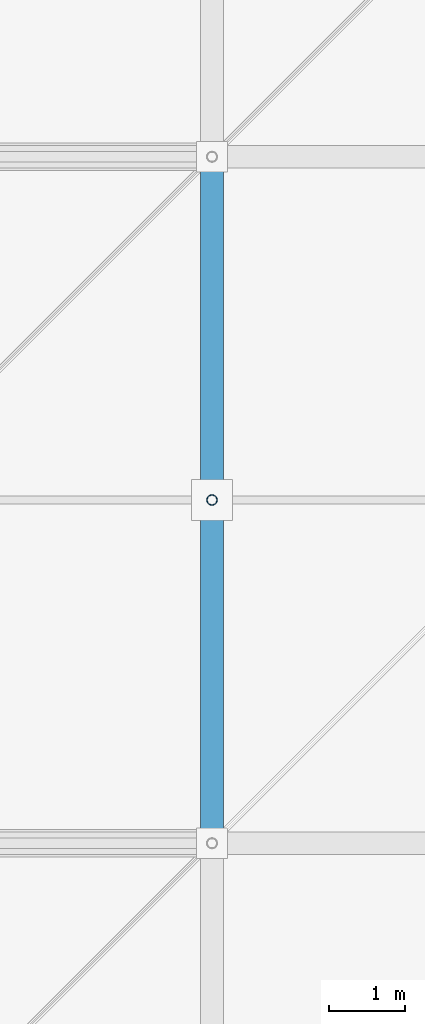
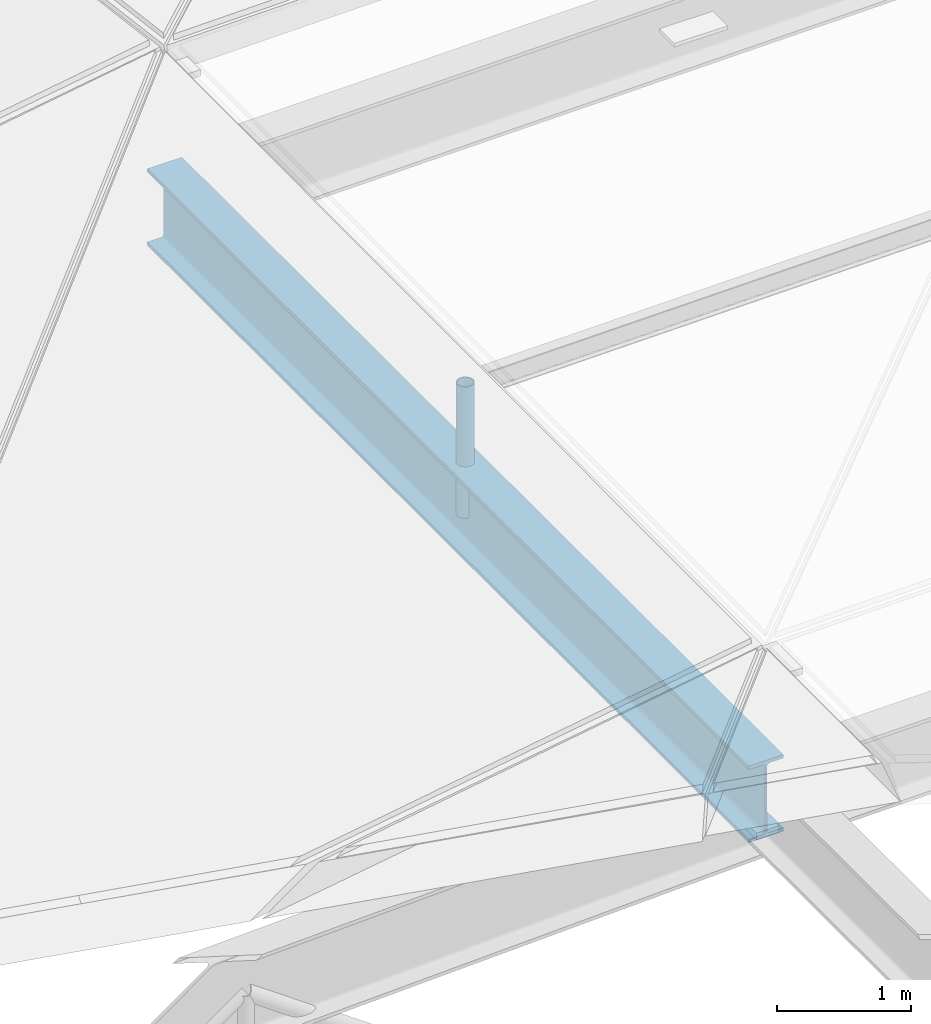
# One storey, part 25 of 80: 1 beam, 1 member.
"""IFC4 building model written with IfcOpenShell, lengths in metres."""

from ifc_helpers import new_model, si_unit, direction, frame, origin, origin_2d, place, context, subcontext, project, spatial, hollow_circle, i_section, extrude, material, material_profile, profile_set, type_object, element, save


model = new_model("IFC4")

# Units and contexts
model_context = context("Model", 3, precision=1e-05, world=origin(), true_north=direction((0.0, 1.0)))
body_context = subcontext(model_context, "Body", "Model", "MODEL_VIEW")
ifc_project = project(units=[si_unit("LENGTHUNIT", "METRE"), si_unit("AREAUNIT", "SQUARE_METRE"), si_unit("VOLUMEUNIT", "CUBIC_METRE"), si_unit("PLANEANGLEUNIT", "RADIAN"), si_unit("MASSUNIT", "GRAM", prefix="KILO")], contexts=[model_context])

# Site, building, storey
site_placement = place(None, origin())
site = spatial("IfcSite", under=ifc_project, at=site_placement, CompositionType="ELEMENT")
building_placement = place(site_placement, origin())
building = spatial("IfcBuilding", under=site, at=building_placement, Name="Barlavento Convention Centre", CompositionType="ELEMENT")
storey_placement = place(building_placement, frame((0.0, 0.0, 29.800048828125)))
storey = spatial("IfcBuildingStorey", under=building, at=storey_placement, Name="RF", CompositionType="ELEMENT", Elevation=29.800048828125)

# Beam
ifc_material_1 = material(Name="Steel S460", Category="steel")
ifc_material_profile_1 = material_profile(ifc_material_1, i_section(OverallWidth=0.300048828125, OverallDepth=0.699951171875, WebThickness=0.01708984375, FlangeThickness=0.031982421875, FilletRadius=0.027099609375, at=origin_2d()), Name="HEB 700")
ifc_profile_set_1 = profile_set([ifc_material_profile_1], Name="Steel S460")
beam_type = type_object("IfcBeamType", Name="STR-BM-TRUSS-TOP-HEB700", PredefinedType="BEAM", material=ifc_profile_set_1)
beam_placement = place(storey_placement, frame((54.0, 18.0048828125, 0.15625), z_axis=(0.0, 1.0, 0.0), x_axis=(-1.0, 0.0, 0.0)))
element("IfcBeam", 1, at=beam_placement, inside=storey, type_object=beam_type, Name="Congress roof truss space frame chord", PredefinedType="BEAM", context=body_context, shape_type="SweptSolid", body=[
    extrude(i_section(OverallWidth=0.300048828125, OverallDepth=0.699951171875, WebThickness=0.01708984375, FlangeThickness=0.031982421875, FilletRadius=0.027099609375, at=origin_2d()), origin(), (0.0, 0.0, 1.0), 8.990234375),
])

# Member
ifc_material_2 = material(Name="Steel S355", Category="steel")
ifc_material_profile_2 = material_profile(ifc_material_2, hollow_circle(Radius=0.06982421875, WallThickness=0.008056640625, at=origin_2d()), Name="CHS 139.7x8.0")
ifc_profile_set_2 = profile_set([ifc_material_profile_2], Name="Steel S355")
member_type = type_object("IfcMemberType", Name="STR-MEM-DIAG-CHS139", PredefinedType="BRACE", material=ifc_profile_set_2)
member_placement = place(storey_placement, frame((54.0, 22.5, 0.0361328125), z_axis=(0.0, 0.0, 1.0), x_axis=(1.0, 0.0, 0.0)))
element("IfcMember", 2, at=member_placement, inside=storey, type_object=member_type, Name="Congress space frame vertical node post TD04", PredefinedType="BRACE", context=body_context, shape_type="SweptSolid", body=[
    extrude(hollow_circle(Radius=0.06982421875, WallThickness=0.008056640625, at=origin_2d()), origin(), (0.0, 0.0, 1.0), 1.197509765625),
])

save(model, "model.ifc")
